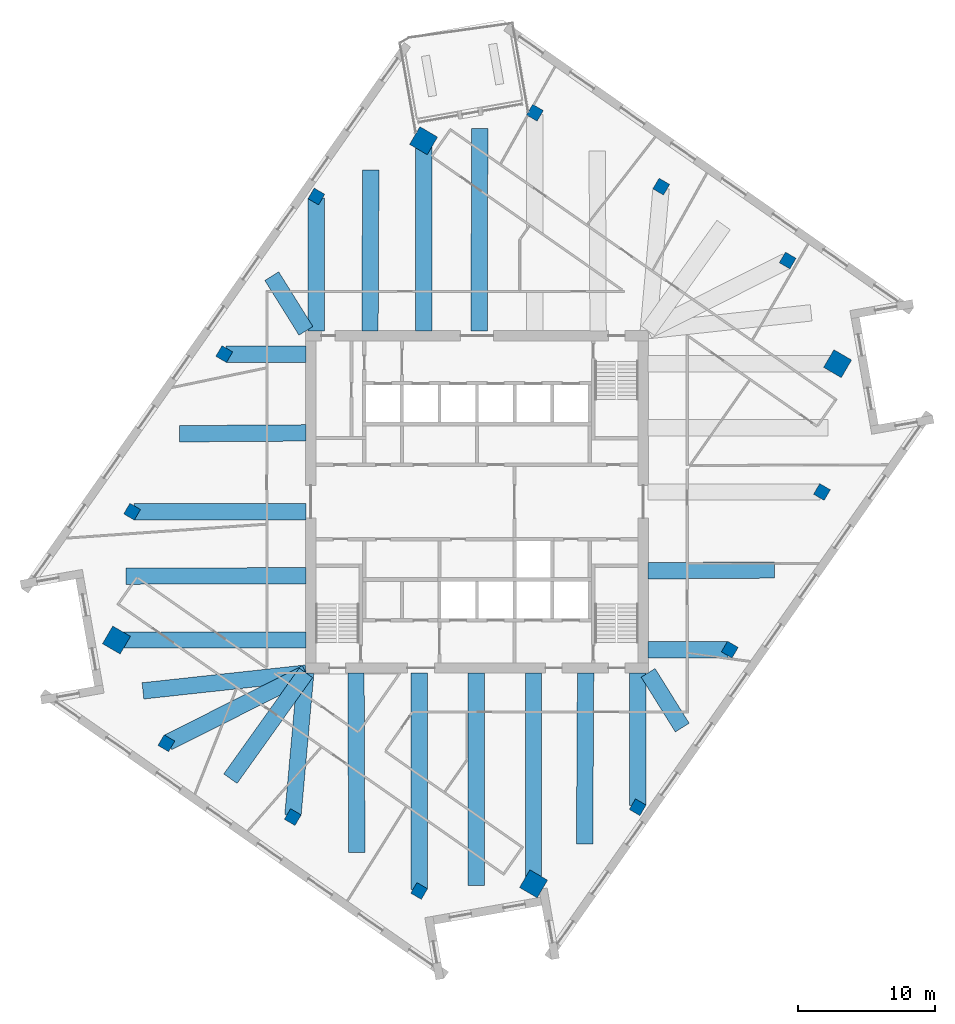
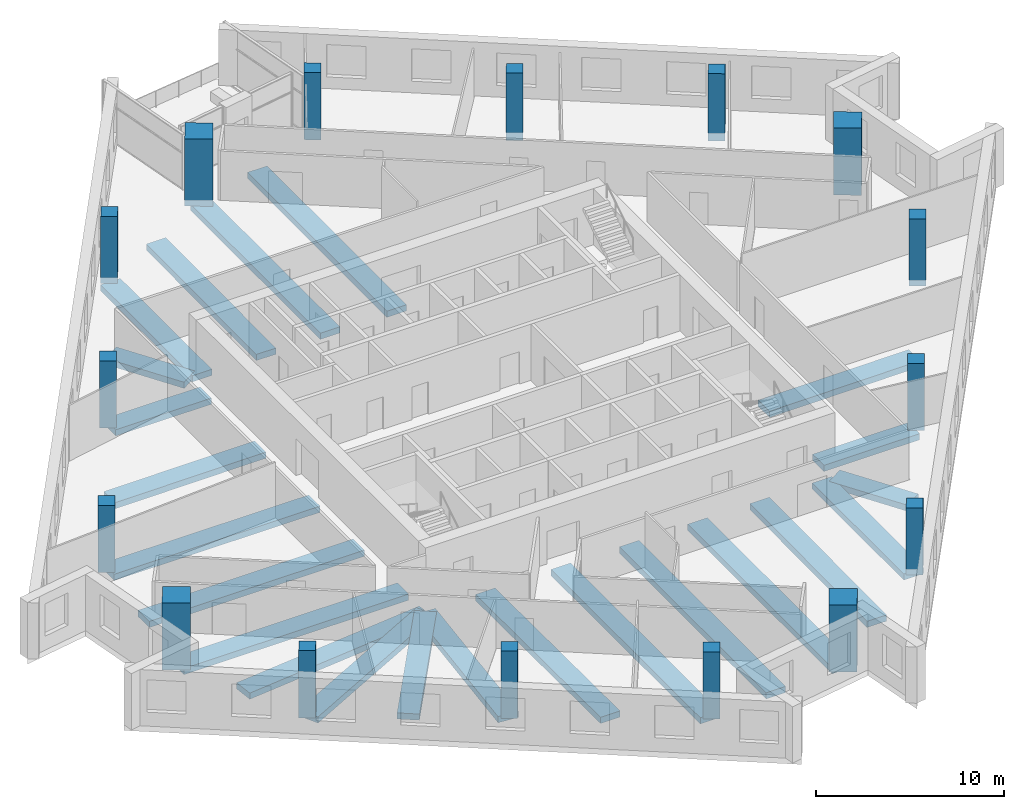
# One storey, part 1 of 13: 23 beams, 16 columns.
"""IFC4 building model written with IfcOpenShell, lengths in metres."""

from ifc_helpers import new_model, si_unit, direction, frame, origin, origin_2d, place, context, subcontext, project, spatial, rectangle, extrude, material, material_profile, profile_set, type_object, element, save


model = new_model("IFC4")

# Units and contexts
model_context = context("Model", 3, precision=1e-05, world=origin(), true_north=direction((0.0, 1.0)))
body_context = subcontext(model_context, "Body", "Model", "MODEL_VIEW")
ifc_project = project(units=[si_unit("LENGTHUNIT", "METRE"), si_unit("AREAUNIT", "SQUARE_METRE"), si_unit("VOLUMEUNIT", "CUBIC_METRE"), si_unit("PLANEANGLEUNIT", "RADIAN"), si_unit("MASSUNIT", "GRAM", prefix="KILO")], contexts=[model_context])

# Site, building, storey
site_placement = place(None, origin())
site = spatial("IfcSite", under=ifc_project, at=site_placement, CompositionType="ELEMENT")
building_placement = place(site_placement, origin())
building = spatial("IfcBuilding", under=site, at=building_placement, Name="Dilmun Exchange Tower", CompositionType="ELEMENT")
storey_placement = place(building_placement, frame((0.0, 0.0, 242.89990234375)))
storey = spatial("IfcBuildingStorey", under=building, at=storey_placement, Name="L57", CompositionType="ELEMENT", Elevation=242.89990234375)

# Columns
ifc_material_1 = material(Name="Concrete C50/60", Category="concrete")
ifc_material_profile_1 = material_profile(ifc_material_1, rectangle(XDim=1.5, YDim=1.5, at=origin_2d()), Name="1500 x 1500")
ifc_profile_set_1 = profile_set([ifc_material_profile_1], Name="Concrete C50/60")
column_type_1 = type_object("IfcColumnType", Name="RC mega column 1500 x 1500 C50/60", PredefinedType="COLUMN", material=ifc_profile_set_1)
for number, where, z_axis, x_axis, name in (
    (1, (-3.9150390625, 26.45703125, -0.35986328125), (0.0, 0.0, 1.0), (0.504643651291, 0.863327739165, 0.0), "Mega column M1"),
    (2, (-26.4150390625, -10.1220703125, -0.35986328125), (0.0, 0.0, 1.0), (0.504643651291, 0.863327739165, 0.0), "Mega column M2"),
    (3, (4.14111328125, -27.98291015625, -0.35986328125), (0.0, 0.0, 1.0), (0.504643651291, 0.863327739165, 0.0), "Mega column M3"),
    (4, (26.4150390625, 10.1220703125, -0.35986328125), (0.0, 0.0, 1.0), (0.504643651291, 0.863327739165, 0.0), "Mega column M4"),
):
    element("IfcColumn", number, at=place(storey_placement, frame(where, z_axis=z_axis, x_axis=x_axis)), inside=storey, type_object=column_type_1, Name=name, PredefinedType="COLUMN", context=body_context, shape_type="SweptSolid", body=[
        extrude(rectangle(XDim=1.5, YDim=1.5, at=origin_2d()), origin(), (0.0, 0.0, 1.0), 4.35986328125),
    ])
ifc_material_profile_2 = material_profile(ifc_material_1, rectangle(XDim=0.89990234375, YDim=0.89990234375, at=origin_2d()), Name="900 x 900")
ifc_profile_set_2 = profile_set([ifc_material_profile_2], Name="Concrete C50/60")
column_type_2 = type_object("IfcColumnType", Name="RC ring column 900 x 900 C50/60", PredefinedType="COLUMN", material=ifc_profile_set_2)
for number, where, z_axis, x_axis, name in (
    (5, (-11.76904296875, 22.3720703125, -0.35986328125), (0.0, 0.0, 1.0), (0.504643651291, 0.863327739165, 0.0), "Ring column R01"),
    (6, (-18.51806640625, 10.824951171875, -0.35986328125), (0.0, 0.0, 1.0), (0.504643651291, 0.863327739165, 0.0), "Ring column R02"),
    (7, (-25.26806640625, -0.721923828125, -0.35986328125), (0.0, 0.0, 1.0), (0.504643651291, 0.863327739165, 0.0), "Ring column R03"),
    (8, (-22.758056640625, -17.681884765625, -0.35986328125), (0.0, 0.0, 1.0), (0.504643651291, 0.863327739165, 0.0), "Ring column R04"),
    (9, (-13.4990234375, -23.093994140625, -0.35986328125), (0.0, 0.0, 1.0), (0.504643651291, 0.863327739165, 0.0), "Ring column R05"),
    (10, (-4.239990234375, -28.506103515625, -0.35986328125), (0.0, 0.0, 1.0), (0.504643651291, 0.863327739165, 0.0), "Ring column R06"),
    (11, (11.76904296875, -22.3720703125, -0.35986328125), (0.0, 0.0, 1.0), (0.504643651291, 0.863327739165, 0.0), "Ring column R07"),
    (12, (18.51806640625, -10.824951171875, -0.35986328125), (0.0, 0.0, 1.0), (0.504643651291, 0.863327739165, 0.0), "Ring column R08"),
    (13, (25.26806640625, 0.721923828125, -0.35986328125), (0.0, 0.0, 1.0), (0.504643651291, 0.863327739165, 0.0), "Ring column R09"),
    (14, (22.758056640625, 17.681884765625, -0.35986328125), (0.0, 0.0, 1.0), (0.504643651291, 0.863327739165, 0.0), "Ring column R10"),
    (15, (13.4990234375, 23.093994140625, -0.35986328125), (0.0, 0.0, 1.0), (0.504643651291, 0.863327739165, 0.0), "Ring column R11"),
    (16, (4.239990234375, 28.506103515625, -0.35986328125), (0.0, 0.0, 1.0), (0.504643651291, 0.863327739165, 0.0), "Ring column R12"),
):
    element("IfcColumn", number, at=place(storey_placement, frame(where, z_axis=z_axis, x_axis=x_axis)), inside=storey, type_object=column_type_2, Name=name, PredefinedType="COLUMN", context=body_context, shape_type="SweptSolid", body=[
        extrude(rectangle(XDim=0.89990234375, YDim=0.89990234375, at=origin_2d()), origin(), (0.0, 0.0, 1.0), 4.35986328125),
    ])

# Beams
ifc_material_2 = material(Name="Concrete C40/50", Category="concrete")
ifc_material_profile_3 = material_profile(ifc_material_2, rectangle(XDim=1.199951171875, YDim=0.39990234375, at=origin_2d()), Name="1200 x 400")
ifc_profile_set_3 = profile_set([ifc_material_profile_3], Name="Concrete C40/50")
beam_type = type_object("IfcBeamType", Name="RC band beam 1200 x 400 C40/50", PredefinedType="BEAM", material=ifc_profile_set_3)
beam_1_placement = place(storey_placement, frame((-3.9150390625, 26.33251953125, -0.659912109375), z_axis=(0.0, -1.0, 0.0), x_axis=(1.0, 0.0, 0.0)))
element("IfcBeam", 17, at=beam_1_placement, inside=storey, type_object=beam_type, Name="Band beam 1", PredefinedType="BEAM", context=body_context, shape_type="SweptSolid", body=[
    extrude(rectangle(XDim=1.199951171875, YDim=0.39990234375, at=origin_2d()), origin(), (0.0, 0.0, 1.0), 13.8095703125),
])
beam_2_placement = place(storey_placement, frame((-11.76904296875, 22.24755859375, -0.659912109375), z_axis=(0.0, -1.0, 0.0), x_axis=(1.0, 0.0, 0.0)))
element("IfcBeam", 18, at=beam_2_placement, inside=storey, type_object=beam_type, Name="Band beam 2", PredefinedType="BEAM", context=body_context, shape_type="SweptSolid", body=[
    extrude(rectangle(XDim=1.199951171875, YDim=0.39990234375, at=origin_2d()), origin(), (0.0, 0.0, 1.0), 9.724609375),
])
beam_3_placement = place(storey_placement, frame((-18.3935546875, 10.824951171875, -0.659912109375), z_axis=(1.0, 0.0, 0.0), x_axis=(0.0, 1.0, 0.0)))
element("IfcBeam", 19, at=beam_3_placement, inside=storey, type_object=beam_type, Name="Band beam 3", PredefinedType="BEAM", context=body_context, shape_type="SweptSolid", body=[
    extrude(rectangle(XDim=1.199951171875, YDim=0.39990234375, at=origin_2d()), origin(), (0.0, 0.0, 1.0), 5.87060546875),
])
beam_4_placement = place(storey_placement, frame((-25.1435546875, -0.721923828125, -0.659912109375), z_axis=(1.0, 0.0, 0.0), x_axis=(0.0, 1.0, 0.0)))
element("IfcBeam", 20, at=beam_4_placement, inside=storey, type_object=beam_type, Name="Band beam 4", PredefinedType="BEAM", context=body_context, shape_type="SweptSolid", body=[
    extrude(rectangle(XDim=1.199951171875, YDim=0.39990234375, at=origin_2d()), origin(), (0.0, 0.0, 1.0), 12.62060546875),
])
beam_5_placement = place(storey_placement, frame((-26.29052734375, -10.1220703125, -0.659912109375), z_axis=(1.0, 0.0, 0.0), x_axis=(0.0, 1.0, 0.0)))
element("IfcBeam", 21, at=beam_5_placement, inside=storey, type_object=beam_type, Name="Band beam 5", PredefinedType="BEAM", context=body_context, shape_type="SweptSolid", body=[
    extrude(rectangle(XDim=1.199951171875, YDim=0.39990234375, at=origin_2d()), origin(), (0.0, 0.0, 1.0), 13.767578125),
])
beam_6_placement = place(storey_placement, frame((-22.646728515625, -17.626220703125, -0.659912109375), z_axis=(0.893437930983, 0.449186668859, 0.0), x_axis=(-0.449186668859, 0.893437930983, 0.0)))
element("IfcBeam", 22, at=beam_6_placement, inside=storey, type_object=beam_type, Name="Band beam 6", PredefinedType="BEAM", context=body_context, shape_type="SweptSolid", body=[
    extrude(rectangle(XDim=1.199951171875, YDim=0.39990234375, at=origin_2d()), origin(), (0.0, 0.0, 1.0), 11.327880859375),
])
beam_7_placement = place(storey_placement, frame((-13.48779296875, -22.969970703125, -0.659912109375), z_axis=(0.08963539061, 0.99597464664, 0.0), x_axis=(-0.99597464664, 0.08963539061, 0.0)))
element("IfcBeam", 23, at=beam_7_placement, inside=storey, type_object=beam_type, Name="Band beam 7", PredefinedType="BEAM", context=body_context, shape_type="SweptSolid", body=[
    extrude(rectangle(XDim=1.199951171875, YDim=0.39990234375, at=origin_2d()), origin(), (0.0, 0.0, 1.0), 10.489013671875),
])
beam_8_placement = place(storey_placement, frame((-4.239990234375, -28.381591796875, -0.659912109375), z_axis=(0.0, 1.0, 0.0), x_axis=(-1.0, 0.0, 0.0)))
element("IfcBeam", 24, at=beam_8_placement, inside=storey, type_object=beam_type, Name="Band beam 8", PredefinedType="BEAM", context=body_context, shape_type="SweptSolid", body=[
    extrude(rectangle(XDim=1.199951171875, YDim=0.39990234375, at=origin_2d()), origin(), (0.0, 0.0, 1.0), 15.858642578125),
])
beam_9_placement = place(storey_placement, frame((4.14111328125, -27.8583984375, -0.659912109375), z_axis=(0.0, 1.0, 0.0), x_axis=(-1.0, 0.0, 0.0)))
element("IfcBeam", 25, at=beam_9_placement, inside=storey, type_object=beam_type, Name="Band beam 9", PredefinedType="BEAM", context=body_context, shape_type="SweptSolid", body=[
    extrude(rectangle(XDim=1.199951171875, YDim=0.39990234375, at=origin_2d()), origin(), (0.0, 0.0, 1.0), 15.33544921875),
])
beam_10_placement = place(storey_placement, frame((11.76904296875, -22.24755859375, -0.659912109375), z_axis=(0.0, 1.0, 0.0), x_axis=(-1.0, 0.0, 0.0)))
element("IfcBeam", 26, at=beam_10_placement, inside=storey, type_object=beam_type, Name="Band beam 10", PredefinedType="BEAM", context=body_context, shape_type="SweptSolid", body=[
    extrude(rectangle(XDim=1.199951171875, YDim=0.39990234375, at=origin_2d()), origin(), (0.0, 0.0, 1.0), 9.724609375),
])
beam_11_placement = place(storey_placement, frame((18.3935546875, -10.824951171875, -0.659912109375), z_axis=(-1.0, 0.0, 0.0), x_axis=(0.0, -1.0, 0.0)))
element("IfcBeam", 27, at=beam_11_placement, inside=storey, type_object=beam_type, Name="Band beam 11", PredefinedType="BEAM", context=body_context, shape_type="SweptSolid", body=[
    extrude(rectangle(XDim=1.199951171875, YDim=0.39990234375, at=origin_2d()), origin(), (0.0, 0.0, 1.0), 5.87060546875),
])
beam_12_placement = place(storey_placement, frame((-7.78466796875, 24.303955078125, -0.659912109375), z_axis=(-0.004869903914, -0.999988141948, 0.0), x_axis=(0.999988141948, -0.004869903914, 0.0)))
element("IfcBeam", 28, at=beam_12_placement, inside=storey, type_object=beam_type, Name="Band beam 17", PredefinedType="BEAM", context=body_context, shape_type="SweptSolid", body=[
    extrude(rectangle(XDim=1.199951171875, YDim=0.39990234375, at=origin_2d()), origin(), (0.0, 0.0, 1.0), 11.78125),
])
beam_13_placement = place(storey_placement, frame((-15.035888671875, 16.53564453125, -0.659912109375), z_axis=(0.529283392171, -0.848445101802, 0.0), x_axis=(0.848445101802, 0.529283392171, 0.0)))
element("IfcBeam", 29, at=beam_13_placement, inside=storey, type_object=beam_type, Name="Band beam 18", PredefinedType="BEAM", context=body_context, shape_type="SweptSolid", body=[
    extrude(rectangle(XDim=1.199951171875, YDim=0.39990234375, at=origin_2d()), origin(), (0.0, 0.0, 1.0), 4.724365234375),
])
beam_14_placement = place(storey_placement, frame((-21.785400390625, 4.98876953125, -0.659912109375), z_axis=(0.999977057035, 0.006773876582, 0.0), x_axis=(-0.006773876582, 0.999977057035, 0.0)))
element("IfcBeam", 30, at=beam_14_placement, inside=storey, type_object=beam_type, Name="Band beam 19", PredefinedType="BEAM", context=body_context, shape_type="SweptSolid", body=[
    extrude(rectangle(XDim=1.199951171875, YDim=0.39990234375, at=origin_2d()), origin(), (0.0, 0.0, 1.0), 9.2626953125),
])
beam_15_placement = place(storey_placement, frame((-25.718017578125, -5.43701171875, -0.659912109375), z_axis=(0.999999363078, 0.00112864657, 0.0), x_axis=(-0.00112864657, 0.999999363078, 0.0)))
element("IfcBeam", 31, at=beam_15_placement, inside=storey, type_object=beam_type, Name="Band beam 20", PredefinedType="BEAM", context=body_context, shape_type="SweptSolid", body=[
    extrude(rectangle(XDim=1.199951171875, YDim=0.39990234375, at=origin_2d()), origin(), (0.0, 0.0, 1.0), 13.195068359375),
])
beam_16_placement = place(storey_placement, frame((-24.474365234375, -13.847900390625, -0.659912109375), z_axis=(0.994128896714, 0.108202295344, 0.0), x_axis=(-0.108202295344, 0.994128896714, 0.0)))
element("IfcBeam", 32, at=beam_16_placement, inside=storey, type_object=beam_type, Name="Band beam 21", PredefinedType="BEAM", context=body_context, shape_type="SweptSolid", body=[
    extrude(rectangle(XDim=1.199951171875, YDim=0.39990234375, at=origin_2d()), origin(), (0.0, 0.0, 1.0), 12.021728515625),
])
beam_17_placement = place(storey_placement, frame((-18.065673828125, -20.280517578125, -0.659912109375), z_axis=(0.580823446771, 0.814029559464, 0.0), x_axis=(-0.814029559464, 0.580823446771, 0.0)))
element("IfcBeam", 33, at=beam_17_placement, inside=storey, type_object=beam_type, Name="Band beam 22", PredefinedType="BEAM", context=body_context, shape_type="SweptSolid", body=[
    extrude(rectangle(XDim=1.199951171875, YDim=0.39990234375, at=origin_2d()), origin(), (0.0, 0.0, 1.0), 9.5234375),
])
beam_18_placement = place(storey_placement, frame((-8.806640625, -25.6923828125, -0.659912109375), z_axis=(-0.00476432248, 0.999988650551, 0.0), x_axis=(-0.999988650551, -0.00476432248, 0.0)))
element("IfcBeam", 34, at=beam_18_placement, inside=storey, type_object=beam_type, Name="Band beam 23", PredefinedType="BEAM", context=body_context, shape_type="SweptSolid", body=[
    extrude(rectangle(XDim=1.199951171875, YDim=0.39990234375, at=origin_2d()), origin(), (0.0, 0.0, 1.0), 13.169677734375),
])
beam_19_placement = place(storey_placement, frame((-0.057373046875, -28.1201171875, -0.659912109375), z_axis=(0.000500892151, 0.999999874554, 0.0), x_axis=(-0.999999874554, 0.000500892151, 0.0)))
element("IfcBeam", 35, at=beam_19_placement, inside=storey, type_object=beam_type, Name="Band beam 24", PredefinedType="BEAM", context=body_context, shape_type="SweptSolid", body=[
    extrude(rectangle(XDim=1.199951171875, YDim=0.39990234375, at=origin_2d()), origin(), (0.0, 0.0, 1.0), 15.59716796875),
])
beam_20_placement = place(storey_placement, frame((7.881103515625, -25.0771484375, -0.659912109375), z_axis=(0.005892317295, 0.999982640148, 0.0), x_axis=(-0.999982640148, 0.005892317295, 0.0)))
element("IfcBeam", 36, at=beam_20_placement, inside=storey, type_object=beam_type, Name="Band beam 25", PredefinedType="BEAM", context=body_context, shape_type="SweptSolid", body=[
    extrude(rectangle(XDim=1.199951171875, YDim=0.39990234375, at=origin_2d()), origin(), (0.0, 0.0, 1.0), 12.554443359375),
])
beam_21_placement = place(storey_placement, frame((15.035888671875, -16.53564453125, -0.659912109375), z_axis=(-0.529283392171, 0.848445101802, 0.0), x_axis=(-0.848445101802, -0.529283392171, 0.0)))
element("IfcBeam", 37, at=beam_21_placement, inside=storey, type_object=beam_type, Name="Band beam 26", PredefinedType="BEAM", context=body_context, shape_type="SweptSolid", body=[
    extrude(rectangle(XDim=1.199951171875, YDim=0.39990234375, at=origin_2d()), origin(), (0.0, 0.0, 1.0), 4.724365234375),
])
beam_22_placement = place(storey_placement, frame((21.785400390625, -4.98876953125, -0.659912109375), z_axis=(-0.999977057035, -0.006773876582, 0.0), x_axis=(0.006773876582, -0.999977057035, 0.0)))
element("IfcBeam", 38, at=beam_22_placement, inside=storey, type_object=beam_type, Name="Band beam 27", PredefinedType="BEAM", context=body_context, shape_type="SweptSolid", body=[
    extrude(rectangle(XDim=1.199951171875, YDim=0.39990234375, at=origin_2d()), origin(), (0.0, 0.0, 1.0), 9.2626953125),
])
beam_23_placement = place(storey_placement, frame((0.19287109375, 27.36083984375, -0.659912109375), z_axis=(-0.002040274811, -0.999997918637, 0.0), x_axis=(0.999997918637, -0.002040274811, 0.0)))
element("IfcBeam", 39, at=beam_23_placement, inside=storey, type_object=beam_type, Name="Band beam 32", PredefinedType="BEAM", context=body_context, shape_type="SweptSolid", body=[
    extrude(rectangle(XDim=1.199951171875, YDim=0.39990234375, at=origin_2d()), origin(), (0.0, 0.0, 1.0), 14.837890625),
])

save(model, "model.ifc")
